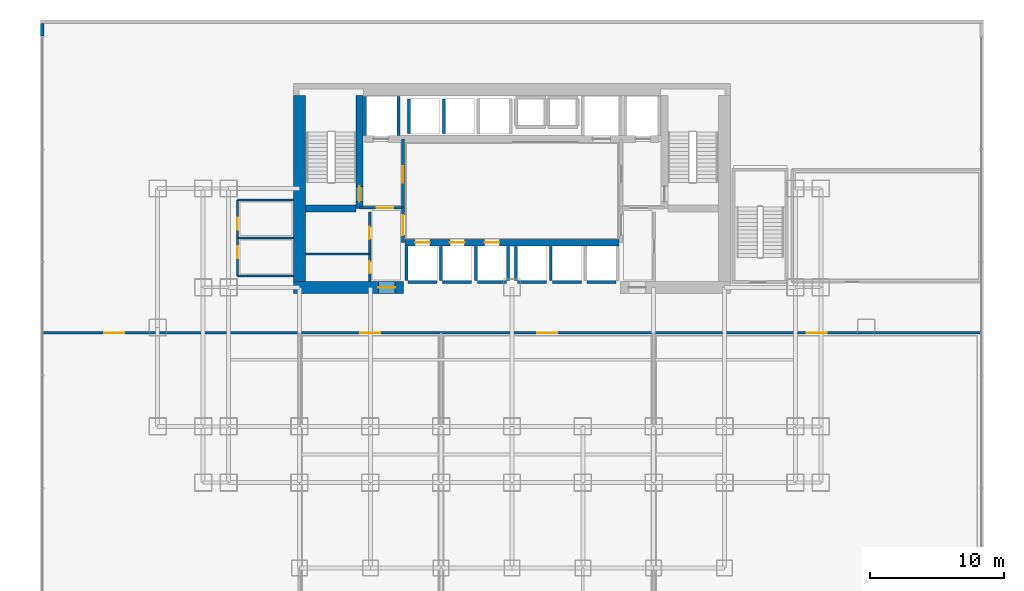
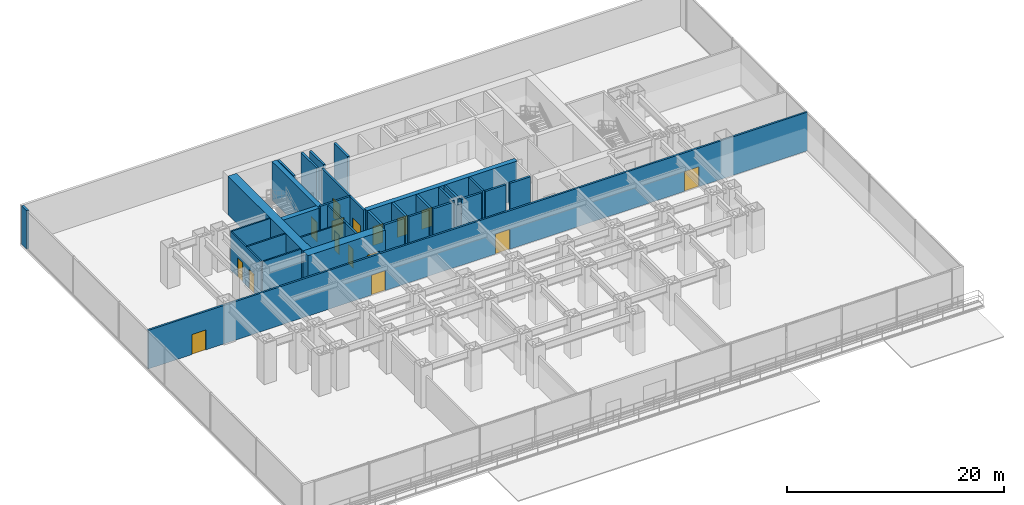
# One storey, part 9 of 13: 32 walls, 16 doors, 16 openings.
"""IFC4 building model written with IfcOpenShell, lengths in metres."""

from ifc_helpers import new_model, si_unit, direction, frame, frame_2d, origin, place, context, subcontext, project, spatial, rectangle, extrude, material, layer, layer_set, type_object, element, fill, save


model = new_model("IFC4")

# Units and contexts
model_context = context("Model", 3, precision=1e-05, world=origin(), true_north=direction((0.0, 1.0)))
body_context = subcontext(model_context, "Body", "Model", "MODEL_VIEW")
ifc_project = project(units=[si_unit("LENGTHUNIT", "METRE"), si_unit("AREAUNIT", "SQUARE_METRE"), si_unit("VOLUMEUNIT", "CUBIC_METRE"), si_unit("PLANEANGLEUNIT", "RADIAN"), si_unit("MASSUNIT", "GRAM", prefix="KILO")], contexts=[model_context])

# Site, building, storey
site_placement = place(None, origin())
site = spatial("IfcSite", under=ifc_project, at=site_placement, CompositionType="ELEMENT")
building_placement = place(site_placement, origin())
building = spatial("IfcBuilding", under=site, at=building_placement, Name="Qianlan Lanfeng Residences", CompositionType="ELEMENT")
storey_placement = place(building_placement, frame((0.0, 0.0, 5.199951171875)))
storey = spatial("IfcBuildingStorey", under=building, at=storey_placement, Name="L01", CompositionType="ELEMENT", Elevation=5.199951171875)

# Wall, opening, door
ifc_material_1 = material(Name="Concrete C70", Category="concrete")
ifc_layer_1 = layer(ifc_material_1, 0.5)
ifc_layer_set_1 = layer_set([ifc_layer_1], Name="Concrete C70")
wall_type_1 = type_object("IfcWallType", Name="CW-RC-500", PredefinedType="SHEAR", material=ifc_layer_set_1)
wall_1_placement = place(storey_placement, frame((15.10009765625, 31.10009765625, 0.0), z_axis=(0.0, 0.0, 1.0), x_axis=(0.0, 1.0, 0.0)))
wall_1 = element("IfcWall", 1, at=wall_1_placement, inside=storey, type_object=wall_type_1, Name="L01 Core Shear Wall ST1E", PredefinedType="SHEAR", context=body_context, shape_type="SweptSolid", body=[
    extrude(rectangle(XDim=8.449951171875, YDim=0.5, at=frame_2d((4.22509765625, 0.0))), origin(), (0.0, 0.0, 1.0), 4.35009765625),
])
opening_1_placement = place(wall_1_placement, frame((0.510009765625, 0.0, 0.0)))
opening_1 = element("IfcOpeningElement", 2, at=opening_1_placement, cuts=wall_1, Name="Opening L01-D07", PredefinedType="OPENING", context=body_context, shape_type="SweptSolid", body=[
    extrude(rectangle(XDim=1.14990234375, YDim=2.199951171875, at=frame_2d((0.574951171875, 1.10009765625))), frame((0.0, 0.260009765625, 0.0), z_axis=(0.0, -1.0, 0.0), x_axis=(1.0, 0.0, 0.0)), (0.0, 0.0, 1.0), 0.52001953125),
])
ifc_material_2 = material(Name="Painted Galvanised Steel Fire Door", Category="steel")
door_type_1 = type_object("IfcDoorType", Name="DT-ST1", OperationType="NOTDEFINED", PredefinedType="DOOR", material=ifc_material_2)
door_1_placement = place(opening_1_placement, frame((1.14990234375, 0.0, 0.0), z_axis=(0.0, 0.0, 1.0), x_axis=(-1.0, 0.0, 0.0)))
door_1 = element("IfcDoor", 3, at=door_1_placement, inside=storey, type_object=door_type_1, Name="L01 Exit Stair ST-1 Door L01-D07 (DT-ST1)", OperationType="SINGLE_SWING_RIGHT", OverallHeight=2.199951171875, OverallWidth=1.14990234375, PredefinedType="DOOR", context=body_context, shape_type="SweptSolid", body=[
    extrude(rectangle(XDim=1.14990234375, YDim=2.199951171875, at=frame_2d((0.574951171875, 1.10009765625))), frame((0.0, 0.02490234375, 0.0), z_axis=(0.0, -1.0, 0.0), x_axis=(1.0, 0.0, 0.0)), (0.0, 0.0, 1.0), 0.050048828125),
])
fill(opening_1, door_1)

# Wall
wall_2_placement = place(storey_placement, frame((11.050048828125, 31.10009765625, 0.0), z_axis=(0.0, 0.0, 1.0), x_axis=(1.0, 0.0, 0.0)))
element("IfcWall", 4, at=wall_2_placement, inside=storey, type_object=wall_type_1, Name="L01 Core Shear Wall ST1S", PredefinedType="SHEAR", context=body_context, shape_type="SweptSolid", body=[
    extrude(rectangle(XDim=3.800048828125, YDim=0.5, at=frame_2d((1.89990234375, 0.0))), origin(), (0.0, 0.0, 1.0), 4.35009765625),
])

# Wall, openings, doors
wall_3_placement = place(storey_placement, frame((18.5, 28.550048828125, 0.0), z_axis=(0.0, 0.0, 1.0), x_axis=(1.0, 0.0, 0.0)))
wall_3 = element("IfcWall", 5, at=wall_3_placement, inside=storey, type_object=wall_type_1, Name="L01 Core Shear Wall LBS", PredefinedType="SHEAR", context=body_context, shape_type="SweptSolid", body=[
    extrude(rectangle(XDim=16.0, YDim=0.5, at=frame_2d((8.0, 0.0))), origin(), (0.0, 0.0, 1.0), 4.35009765625),
])
opening_2_placement = place(wall_3_placement, frame((0.75, 0.0, 0.0)))
opening_2 = element("IfcOpeningElement", 6, at=opening_2_placement, cuts=wall_3, Name="Opening L01-LD-PL-L1", PredefinedType="OPENING", context=body_context, shape_type="SweptSolid", body=[
    extrude(rectangle(XDim=1.10009765625, YDim=2.14990234375, at=frame_2d((0.550048828125, 1.074951171875))), frame((0.0, 0.260009765625, 0.0), z_axis=(0.0, -1.0, 0.0), x_axis=(1.0, 0.0, 0.0)), (0.0, 0.0, 1.0), 0.52001953125),
])
opening_3_placement = place(wall_3_placement, frame((3.35009765625, 0.0, 0.0)))
opening_3 = element("IfcOpeningElement", 7, at=opening_3_placement, cuts=wall_3, Name="Opening L01-LD-PL-L2", PredefinedType="OPENING", context=body_context, shape_type="SweptSolid", body=[
    extrude(rectangle(XDim=1.10009765625, YDim=2.14990234375, at=frame_2d((0.550048828125, 1.074951171875))), frame((0.0, 0.260009765625, 0.0), z_axis=(0.0, -1.0, 0.0), x_axis=(1.0, 0.0, 0.0)), (0.0, 0.0, 1.0), 0.52001953125),
])
opening_4_placement = place(wall_3_placement, frame((5.949951171875, 0.0, 0.0)))
opening_4 = element("IfcOpeningElement", 8, at=opening_4_placement, cuts=wall_3, Name="Opening L01-LD-PL-L3", PredefinedType="OPENING", context=body_context, shape_type="SweptSolid", body=[
    extrude(rectangle(XDim=1.10009765625, YDim=2.14990234375, at=frame_2d((0.550048828125, 1.074951171875))), frame((0.0, 0.260009765625, 0.0), z_axis=(0.0, -1.0, 0.0), x_axis=(1.0, 0.0, 0.0)), (0.0, 0.0, 1.0), 0.52001953125),
])
ifc_material_3 = material(Name="Brushed Stainless Steel Sliding Lift Door", Category="steel")
door_type_2 = type_object("IfcDoorType", Name="LD-01", OperationType="NOTDEFINED", PredefinedType="DOOR", material=ifc_material_3)
door_2_placement = place(opening_2_placement, origin())
door_2 = element("IfcDoor", 9, at=door_2_placement, inside=storey, type_object=door_type_2, Name="L01 Elevator PL-L1 Sliding Landing Door", OperationType="DOUBLE_DOOR_SLIDING", OverallHeight=2.14990234375, OverallWidth=1.10009765625, PredefinedType="DOOR", context=body_context, shape_type="SweptSolid", body=[
    extrude(rectangle(XDim=1.10009765625, YDim=2.14990234375, at=frame_2d((0.550048828125, 1.074951171875))), frame((0.0, 0.02490234375, 0.0), z_axis=(0.0, -1.0, 0.0), x_axis=(1.0, 0.0, 0.0)), (0.0, 0.0, 1.0), 0.050048828125),
])
fill(opening_2, door_2)
door_3_placement = place(opening_3_placement, origin())
door_3 = element("IfcDoor", 10, at=door_3_placement, inside=storey, type_object=door_type_2, Name="L01 Elevator PL-L2 Sliding Landing Door", OperationType="DOUBLE_DOOR_SLIDING", OverallHeight=2.14990234375, OverallWidth=1.10009765625, PredefinedType="DOOR", context=body_context, shape_type="SweptSolid", body=[
    extrude(rectangle(XDim=1.10009765625, YDim=2.14990234375, at=frame_2d((0.550048828125, 1.074951171875))), frame((0.0, 0.02490234375, 0.0), z_axis=(0.0, -1.0, 0.0), x_axis=(1.0, 0.0, 0.0)), (0.0, 0.0, 1.0), 0.050048828125),
])
fill(opening_3, door_3)
door_4_placement = place(opening_4_placement, origin())
door_4 = element("IfcDoor", 11, at=door_4_placement, inside=storey, type_object=door_type_2, Name="L01 Elevator PL-L3 Sliding Landing Door", OperationType="DOUBLE_DOOR_SLIDING", OverallHeight=2.14990234375, OverallWidth=1.10009765625, PredefinedType="DOOR", context=body_context, shape_type="SweptSolid", body=[
    extrude(rectangle(XDim=1.10009765625, YDim=2.14990234375, at=frame_2d((0.550048828125, 1.074951171875))), frame((0.0, 0.02490234375, 0.0), z_axis=(0.0, -1.0, 0.0), x_axis=(1.0, 0.0, 0.0)), (0.0, 0.0, 1.0), 0.050048828125),
])
fill(opening_4, door_4)

# Wall
ifc_layer_2 = layer(ifc_material_1, 0.89990234375)
ifc_layer_set_2 = layer_set([ifc_layer_2], Name="Concrete C70")
wall_type_2 = type_object("IfcWallType", Name="CW-RC-900", PredefinedType="SHEAR", material=ifc_layer_set_2)
wall_4_placement = place(storey_placement, frame((10.60009765625, 25.64990234375, 0.0), z_axis=(0.0, 0.0, 1.0), x_axis=(0.0, 1.0, 0.0)))
element("IfcWall", 12, at=wall_4_placement, inside=storey, type_object=wall_type_2, Name="L01 Core Shear Wall W", PredefinedType="SHEAR", context=body_context, shape_type="SweptSolid", body=[
    extrude(rectangle(XDim=13.900146484375, YDim=0.89990234375, at=frame_2d((6.9501953125, 0.0))), origin(), (0.0, 0.0, 1.0), 4.35009765625),
])

# Wall, opening, door
wall_5_placement = place(storey_placement, frame((10.14990234375, 25.199951171875, 0.0), z_axis=(0.0, 0.0, 1.0), x_axis=(1.0, 0.0, 0.0)))
wall_5 = element("IfcWall", 13, at=wall_5_placement, inside=storey, type_object=wall_type_2, Name="L01 Core Shear Wall SW", PredefinedType="SHEAR", context=body_context, shape_type="SweptSolid", body=[
    extrude(rectangle(XDim=8.25, YDim=0.89990234375, at=frame_2d((4.125, 0.0))), origin(), (0.0, 0.0, 1.0), 4.35009765625),
])
opening_5_placement = place(wall_5_placement, frame((6.35009765625, 0.0, 0.0)))
opening_5 = element("IfcOpeningElement", 14, at=opening_5_placement, cuts=wall_5, Name="Opening L01-D01", PredefinedType="OPENING", context=body_context, shape_type="SweptSolid", body=[
    extrude(rectangle(XDim=1.25, YDim=2.199951171875, at=frame_2d((0.625, 1.10009765625))), frame((0.0, 0.4599609375, 0.0), z_axis=(0.0, -1.0, 0.0), x_axis=(1.0, 0.0, 0.0)), (0.0, 0.0, 1.0), 0.919921875),
])
door_type_3 = type_object("IfcDoorType", Name="DT-FFL", OperationType="NOTDEFINED", PredefinedType="DOOR", material=ifc_material_2)
door_5_placement = place(opening_5_placement, frame((1.25, 0.0, 0.0), z_axis=(0.0, 0.0, 1.0), x_axis=(-1.0, 0.0, 0.0)))
door_5 = element("IfcDoor", 15, at=door_5_placement, inside=storey, type_object=door_type_3, Name="L01 West Core Lobby Smoke Door L01-D01 (DT-FFL)", OperationType="SINGLE_SWING_RIGHT", OverallHeight=2.199951171875, OverallWidth=1.25, PredefinedType="DOOR", context=body_context, shape_type="SweptSolid", body=[
    extrude(rectangle(XDim=1.25, YDim=2.199951171875, at=frame_2d((0.625, 1.10009765625))), frame((0.0, 0.02490234375, 0.0), z_axis=(0.0, -1.0, 0.0), x_axis=(1.0, 0.0, 0.0)), (0.0, 0.0, 1.0), 0.050048828125),
])
fill(opening_5, door_5)

# Walls
ifc_material_4 = material(Name="Concrete C42", Category="concrete")
ifc_layer_3 = layer(ifc_material_4, 0.239990234375)
ifc_layer_set_3 = layer_set([ifc_layer_3], Name="Concrete C42")
wall_type_3 = type_object("IfcWallType", Name="EW-240", PredefinedType="SOLIDWALL", material=ifc_layer_set_3)
wall_6_placement = place(storey_placement, frame((-8.6298828125, 44.93994140625, 0.0), z_axis=(0.0, 0.0, 1.0), x_axis=(0.0, -1.0, 0.0)))
element("IfcWall", 16, at=wall_6_placement, inside=storey, type_object=wall_type_3, Name="L01 NW Corner Pier", PredefinedType="SOLIDWALL", context=body_context, shape_type="SweptSolid", body=[
    extrude(rectangle(XDim=0.93994140625, YDim=0.239990234375, at=frame_2d((0.469970703125, 0.0))), origin(), (0.0, 0.0, 1.0), 4.35009765625),
])
ifc_material_5 = material(Name="Acoustic Drywall Partition 150 mm")
ifc_layer_4 = layer(ifc_material_5, 0.14990234375)
ifc_layer_set_4 = layer_set([ifc_layer_4], Name="Acoustic Drywall Partition 150 mm")
wall_type_4 = type_object("IfcWallType", Name="PW-150", PredefinedType="PARTITIONING", material=ifc_layer_set_4)
wall_7_placement = place(storey_placement, frame((11.050048828125, 27.699951171875, 0.0), z_axis=(0.0, 0.0, 1.0), x_axis=(1.0, 0.0, 0.0)))
element("IfcWall", 17, at=wall_7_placement, inside=storey, type_object=wall_type_4, Name="L01 Core West Split", PredefinedType="PARTITIONING", context=body_context, shape_type="SweptSolid", body=[
    extrude(rectangle(XDim=4.800048828125, YDim=0.14990234375, at=frame_2d((2.39990234375, 0.0))), origin(), (0.0, 0.0, 1.0), 4.35009765625),
])

# Wall, openings, doors
wall_8_placement = place(storey_placement, frame((5.97998046875, 26.050048828125, 0.0), z_axis=(0.0, 0.0, 1.0), x_axis=(0.0, 1.0, 0.0)))
wall_8 = element("IfcWall", 18, at=wall_8_placement, inside=storey, type_object=wall_type_4, Name="L01 Restroom West Wall", PredefinedType="PARTITIONING", context=body_context, shape_type="SweptSolid", body=[
    extrude(rectangle(XDim=5.699951171875, YDim=0.14990234375, at=frame_2d((2.85009765625, 0.0))), origin(), (0.0, 0.0, 1.0), 4.35009765625),
])
opening_6_placement = place(wall_8_placement, frame((1.324951171875, 0.0, 0.0)))
opening_6 = element("IfcOpeningElement", 19, at=opening_6_placement, cuts=wall_8, Name="Opening L01-D20", PredefinedType="OPENING", context=body_context, shape_type="SweptSolid", body=[
    extrude(rectangle(XDim=0.89990234375, YDim=2.14990234375, at=frame_2d((0.449951171875, 1.074951171875))), frame((0.0, 0.0849609375, 0.0), z_axis=(0.0, -1.0, 0.0), x_axis=(1.0, 0.0, 0.0)), (0.0, 0.0, 1.0), 0.169921875),
])
opening_7_placement = place(wall_8_placement, frame((3.47509765625, 0.0, 0.0)))
opening_7 = element("IfcOpeningElement", 20, at=opening_7_placement, cuts=wall_8, Name="Opening L01-D21", PredefinedType="OPENING", context=body_context, shape_type="SweptSolid", body=[
    extrude(rectangle(XDim=0.89990234375, YDim=2.14990234375, at=frame_2d((0.449951171875, 1.074951171875))), frame((0.0, 0.0849609375, 0.0), z_axis=(0.0, -1.0, 0.0), x_axis=(1.0, 0.0, 0.0)), (0.0, 0.0, 1.0), 0.169921875),
])
ifc_material_6 = material(Name="Moisture-Resistant Timber Leaf", Category="wood")
door_type_4 = type_object("IfcDoorType", Name="DT-WC", OperationType="NOTDEFINED", PredefinedType="DOOR", material=ifc_material_6)
door_6_placement = place(opening_6_placement, origin())
door_6 = element("IfcDoor", 21, at=door_6_placement, inside=storey, type_object=door_type_4, Name="L01 Podium Public Restroom Door L01-D20 (DT-WC)", OperationType="SINGLE_SWING_LEFT", OverallHeight=2.14990234375, OverallWidth=0.89990234375, PredefinedType="DOOR", context=body_context, shape_type="SweptSolid", body=[
    extrude(rectangle(XDim=0.89990234375, YDim=2.14990234375, at=frame_2d((0.449951171875, 1.074951171875))), frame((0.0, 0.02490234375, 0.0), z_axis=(0.0, -1.0, 0.0), x_axis=(1.0, 0.0, 0.0)), (0.0, 0.0, 1.0), 0.050048828125),
])
fill(opening_6, door_6)
door_7_placement = place(opening_7_placement, origin())
door_7 = element("IfcDoor", 22, at=door_7_placement, inside=storey, type_object=door_type_4, Name="L01 Podium Accessible WC Door L01-D21 (DT-WC)", OperationType="SINGLE_SWING_RIGHT", OverallHeight=2.14990234375, OverallWidth=0.89990234375, PredefinedType="DOOR", context=body_context, shape_type="SweptSolid", body=[
    extrude(rectangle(XDim=0.89990234375, YDim=2.14990234375, at=frame_2d((0.449951171875, 1.074951171875))), frame((0.0, 0.02490234375, 0.0), z_axis=(0.0, -1.0, 0.0), x_axis=(1.0, 0.0, 0.0)), (0.0, 0.0, 1.0), 0.050048828125),
])
fill(opening_7, door_7)

# Walls
for number, where, z_axis, x_axis, name in (
    (23, (5.97998046875, 26.050048828125, 0.0), (0.0, 0.0, 1.0), (1.0, 0.0, 0.0), "L01 Restroom South Wall"),
    (24, (5.97998046875, 28.89990234375, 0.0), (0.0, 0.0, 1.0), (1.0, 0.0, 0.0), "L01 Restroom Divider"),
    (25, (5.97998046875, 31.75, 0.0), (0.0, 0.0, 1.0), (1.0, 0.0, 0.0), "L01 Restroom North Wall"),
):
    element("IfcWall", number, at=place(storey_placement, frame(where, z_axis=z_axis, x_axis=x_axis)), inside=storey, type_object=wall_type_4, Name=name, PredefinedType="PARTITIONING", context=body_context, shape_type="SweptSolid", body=[
        extrude(rectangle(XDim=4.169921875, YDim=0.14990234375, at=frame_2d((2.0849609375, 0.0))), origin(), (0.0, 0.0, 1.0), 4.35009765625),
    ])

# Wall, openings, doors
ifc_material_7 = material(Name="Double-Layer Acoustic Gypsum Stud Wall 180 mm")
ifc_layer_5 = layer(ifc_material_7, 0.179931640625)
ifc_layer_set_5 = layer_set([ifc_layer_5], Name="Double-Layer Acoustic Gypsum Stud Wall 180 mm")
wall_type_5 = type_object("IfcWallType", Name="PW-180", PredefinedType="PARTITIONING", material=ifc_layer_set_5)
wall_9_placement = place(storey_placement, frame((15.85009765625, 25.64990234375, 0.0), z_axis=(0.0, 0.0, 1.0), x_axis=(0.0, 1.0, 0.0)))
wall_9 = element("IfcWall", 26, at=wall_9_placement, inside=storey, type_object=wall_type_5, Name="L01 Core West Service Room Wall", PredefinedType="PARTITIONING", context=body_context, shape_type="SweptSolid", body=[
    extrude(rectangle(XDim=5.2001953125, YDim=0.179931640625, at=frame_2d((2.60009765625, 0.0))), origin(), (0.0, 0.0, 1.0), 4.35009765625),
])
opening_8_placement = place(wall_9_placement, frame((0.60009765625, 0.0, 0.0)))
opening_8 = element("IfcOpeningElement", 27, at=opening_8_placement, cuts=wall_9, Name="Opening L01-D09", PredefinedType="OPENING", context=body_context, shape_type="SweptSolid", body=[
    extrude(rectangle(XDim=0.89990234375, YDim=2.14990234375, at=frame_2d((0.449951171875, 1.074951171875))), frame((0.0, 0.10009765625, 0.0), z_axis=(0.0, -1.0, 0.0), x_axis=(1.0, 0.0, 0.0)), (0.0, 0.0, 1.0), 0.199951171875),
])
opening_9_placement = place(wall_9_placement, frame((3.1650390625, 0.0, 0.0)))
opening_9 = element("IfcOpeningElement", 28, at=opening_9_placement, cuts=wall_9, Name="Opening L01-D10", PredefinedType="OPENING", context=body_context, shape_type="SweptSolid", body=[
    extrude(rectangle(XDim=0.919921875, YDim=2.14990234375, at=frame_2d((0.4599609375, 1.074951171875))), frame((0.0, 0.10009765625, 0.0), z_axis=(0.0, -1.0, 0.0), x_axis=(1.0, 0.0, 0.0)), (0.0, 0.0, 1.0), 0.199951171875),
])
ifc_material_8 = material(Name="Glazed Timber Kitchen/Study Door", Category="wood")
door_type_5 = type_object("IfcDoorType", Name="DT-INT", OperationType="NOTDEFINED", PredefinedType="DOOR", material=ifc_material_8)
door_8_placement = place(opening_9_placement, origin())
door_8 = element("IfcDoor", 29, at=door_8_placement, inside=storey, type_object=door_type_5, Name="L01 Janitor Closet Door L01-D10 (DT-INT)", OperationType="SINGLE_SWING_LEFT", OverallHeight=2.14990234375, OverallWidth=0.919921875, PredefinedType="DOOR", context=body_context, shape_type="SweptSolid", body=[
    extrude(rectangle(XDim=0.919921875, YDim=2.14990234375, at=frame_2d((0.4599609375, 1.074951171875))), frame((0.0, 0.02490234375, 0.0), z_axis=(0.0, -1.0, 0.0), x_axis=(1.0, 0.0, 0.0)), (0.0, 0.0, 1.0), 0.050048828125),
])
fill(opening_9, door_8)
door_9_placement = place(opening_8_placement, frame((0.89990234375, 0.0, 0.0), z_axis=(0.0, 0.0, 1.0), x_axis=(-1.0, 0.0, 0.0)))
door_9 = element("IfcDoor", 30, at=door_9_placement, inside=storey, type_object=door_type_4, Name="L01 Core Staff WC Door L01-D09 (DT-WC)", OperationType="SINGLE_SWING_RIGHT", OverallHeight=2.14990234375, OverallWidth=0.89990234375, PredefinedType="DOOR", context=body_context, shape_type="SweptSolid", body=[
    extrude(rectangle(XDim=0.89990234375, YDim=2.14990234375, at=frame_2d((0.449951171875, 1.074951171875))), frame((0.0, 0.02490234375, 0.0), z_axis=(0.0, -1.0, 0.0), x_axis=(1.0, 0.0, 0.0)), (0.0, 0.0, 1.0), 0.050048828125),
])
fill(opening_8, door_9)

# Wall, opening, door
ifc_material_9 = material(Name="Autoclaved Aerated Concrete Blockwork 200 mm", Category="masonry")
ifc_layer_6 = layer(ifc_material_9, 0.199951171875)
ifc_layer_set_6 = layer_set([ifc_layer_6], Name="Autoclaved Aerated Concrete Blockwork 200 mm")
wall_type_6 = type_object("IfcWallType", Name="PW-200", PredefinedType="PARTITIONING", material=ifc_layer_set_6)
wall_10_placement = place(storey_placement, frame((15.10009765625, 31.14990234375, 0.0), z_axis=(0.0, 0.0, 1.0), x_axis=(1.0, 0.0, 0.0)))
wall_10 = element("IfcWall", 31, at=wall_10_placement, inside=storey, type_object=wall_type_6, Name="L01 Firefighting Lobby 1 South Wall", PredefinedType="PARTITIONING", context=body_context, shape_type="SweptSolid", body=[
    extrude(rectangle(XDim=3.25, YDim=0.199951171875, at=frame_2d((1.625, 0.0))), origin(), (0.0, 0.0, 1.0), 4.35009765625),
])
opening_10_placement = place(wall_10_placement, frame((1.27490234375, 0.0, 0.0)))
opening_10 = element("IfcOpeningElement", 32, at=opening_10_placement, cuts=wall_10, Name="Opening L01-D03", PredefinedType="OPENING", context=body_context, shape_type="SweptSolid", body=[
    extrude(rectangle(XDim=1.25, YDim=2.199951171875, at=frame_2d((0.625, 1.10009765625))), frame((0.0, 0.10986328125, 0.0), z_axis=(0.0, -1.0, 0.0), x_axis=(1.0, 0.0, 0.0)), (0.0, 0.0, 1.0), 0.219970703125),
])
door_10_placement = place(opening_10_placement, origin())
door_10 = element("IfcDoor", 33, at=door_10_placement, inside=storey, type_object=door_type_3, Name="L01 Firefighting Lobby 1 Entry Door L01-D03 (DT-FFL)", OperationType="SINGLE_SWING_LEFT", OverallHeight=2.199951171875, OverallWidth=1.25, PredefinedType="DOOR", context=body_context, shape_type="SweptSolid", body=[
    extrude(rectangle(XDim=1.25, YDim=2.199951171875, at=frame_2d((0.625, 1.10009765625))), frame((0.0, 0.02490234375, 0.0), z_axis=(0.0, -1.0, 0.0), x_axis=(1.0, 0.0, 0.0)), (0.0, 0.0, 1.0), 0.050048828125),
])
fill(opening_10, door_10)

wall_11_placement = place(storey_placement, frame((18.35009765625, 31.14990234375, 0.0), z_axis=(0.0, 0.0, 1.0), x_axis=(0.0, 1.0, 0.0)))
wall_11 = element("IfcWall", 34, at=wall_11_placement, inside=storey, type_object=wall_type_6, Name="L01 Firefighting Lobby 1 East Wall", PredefinedType="PARTITIONING", context=body_context, shape_type="SweptSolid", body=[
    extrude(rectangle(XDim=5.150146484375, YDim=0.199951171875, at=frame_2d((2.5751953125, 0.0))), origin(), (0.0, 0.0, 1.0), 4.35009765625),
])
opening_11_placement = place(wall_11_placement, frame((1.875, 0.0, 0.0)))
opening_11 = element("IfcOpeningElement", 35, at=opening_11_placement, cuts=wall_11, Name="Opening L01-D04", PredefinedType="OPENING", context=body_context, shape_type="SweptSolid", body=[
    extrude(rectangle(XDim=1.25, YDim=2.199951171875, at=frame_2d((0.625, 1.10009765625))), frame((0.0, 0.10986328125, 0.0), z_axis=(0.0, -1.0, 0.0), x_axis=(1.0, 0.0, 0.0)), (0.0, 0.0, 1.0), 0.219970703125),
])
door_11_placement = place(opening_11_placement, origin())
door_11 = element("IfcDoor", 36, at=door_11_placement, inside=storey, type_object=door_type_3, Name="L01 Firefighting Lobby 1 Lift Lobby Door L01-D04 (DT-FFL)", OperationType="SINGLE_SWING_LEFT", OverallHeight=2.199951171875, OverallWidth=1.25, PredefinedType="DOOR", context=body_context, shape_type="SweptSolid", body=[
    extrude(rectangle(XDim=1.25, YDim=2.199951171875, at=frame_2d((0.625, 1.10009765625))), frame((0.0, 0.02490234375, 0.0), z_axis=(0.0, -1.0, 0.0), x_axis=(1.0, 0.0, 0.0)), (0.0, 0.0, 1.0), 0.050048828125),
])
fill(opening_11, door_11)

wall_12_placement = place(storey_placement, frame((18.35009765625, 28.550048828125, 0.0), z_axis=(0.0, 0.0, 1.0), x_axis=(0.0, 1.0, 0.0)))
wall_12 = element("IfcWall", 37, at=wall_12_placement, inside=storey, type_object=wall_type_6, Name="L01 Lift Lobby West Connector Wall", PredefinedType="PARTITIONING", context=body_context, shape_type="SweptSolid", body=[
    extrude(rectangle(XDim=2.599853515625, YDim=0.199951171875, at=frame_2d((1.2998046875, 0.0))), origin(), (0.0, 0.0, 1.0), 4.35009765625),
])
opening_12_placement = place(wall_12_placement, frame((0.550048828125, 0.0, 0.0)))
opening_12 = element("IfcOpeningElement", 38, at=opening_12_placement, cuts=wall_12, Name="Opening L01-D13", PredefinedType="OPENING", context=body_context, shape_type="SweptSolid", body=[
    extrude(rectangle(XDim=1.5, YDim=2.25, at=frame_2d((0.75, 1.125))), frame((0.0, 0.10986328125, 0.0), z_axis=(0.0, -1.0, 0.0), x_axis=(1.0, 0.0, 0.0)), (0.0, 0.0, 1.0), 0.219970703125),
])
ifc_material_10 = material(Name="Timber Veneer Acoustic Fire Door", Category="wood")
door_type_6 = type_object("IfcDoorType", Name="DT-COR1", OperationType="NOTDEFINED", PredefinedType="DOOR", material=ifc_material_10)
door_12_placement = place(opening_12_placement, origin())
door_12 = element("IfcDoor", 39, at=door_12_placement, inside=storey, type_object=door_type_6, Name="L01 Lift Lobby West Portal Door L01-D13 (DT-COR1)", OperationType="DOUBLE_DOOR_SINGLE_SWING", OverallHeight=2.25, OverallWidth=1.5, PredefinedType="DOOR", context=body_context, shape_type="SweptSolid", body=[
    extrude(rectangle(XDim=1.5, YDim=2.25, at=frame_2d((0.75, 1.125))), frame((0.0, 0.02490234375, 0.0), z_axis=(0.0, -1.0, 0.0), x_axis=(1.0, 0.0, 0.0)), (0.0, 0.0, 1.0), 0.050048828125),
])
fill(opening_12, door_12)

# Wall, openings, doors
wall_13_placement = place(storey_placement, frame((-8.6298828125, 21.800048828125, 0.0), z_axis=(0.0, 0.0, 1.0), x_axis=(1.0, 0.0, 0.0)))
wall_13 = element("IfcWall", 40, at=wall_13_placement, inside=storey, type_object=wall_type_6, Name="L01 Podium Concourse South Wall", PredefinedType="PARTITIONING", context=body_context, shape_type="SweptSolid", body=[
    extrude(rectangle(XDim=70.259765625, YDim=0.199951171875, at=frame_2d((35.1298828125, 0.0))), origin(), (0.0, 0.0, 1.0), 4.35009765625),
])
opening_13_placement = place(wall_13_placement, frame((4.6298828125, 0.0, 0.0)))
opening_13 = element("IfcOpeningElement", 41, at=opening_13_placement, cuts=wall_13, Name="Opening L01-D15", PredefinedType="OPENING", context=body_context, shape_type="SweptSolid", body=[
    extrude(rectangle(XDim=1.5, YDim=2.25, at=frame_2d((0.75, 1.125))), frame((0.0, 0.10986328125, 0.0), z_axis=(0.0, -1.0, 0.0), x_axis=(1.0, 0.0, 0.0)), (0.0, 0.0, 1.0), 0.219970703125),
])
opening_14_placement = place(wall_13_placement, frame((23.780029296875, 0.0, 0.0)))
opening_14 = element("IfcOpeningElement", 42, at=opening_14_placement, cuts=wall_13, Name="Opening L01-D16", PredefinedType="OPENING", context=body_context, shape_type="SweptSolid", body=[
    extrude(rectangle(XDim=1.5, YDim=2.25, at=frame_2d((0.75, 1.125))), frame((0.0, 0.10986328125, 0.0), z_axis=(0.0, -1.0, 0.0), x_axis=(1.0, 0.0, 0.0)), (0.0, 0.0, 1.0), 0.219970703125),
])
opening_15_placement = place(wall_13_placement, frame((37.030029296875, 0.0, 0.0)))
opening_15 = element("IfcOpeningElement", 43, at=opening_15_placement, cuts=wall_13, Name="Opening L01-D17", PredefinedType="OPENING", context=body_context, shape_type="SweptSolid", body=[
    extrude(rectangle(XDim=1.5, YDim=2.25, at=frame_2d((0.75, 1.125))), frame((0.0, 0.10986328125, 0.0), z_axis=(0.0, -1.0, 0.0), x_axis=(1.0, 0.0, 0.0)), (0.0, 0.0, 1.0), 0.219970703125),
])
opening_16_placement = place(wall_13_placement, frame((57.179931640625, 0.0, 0.0)))
opening_16 = element("IfcOpeningElement", 44, at=opening_16_placement, cuts=wall_13, Name="Opening L01-D18", PredefinedType="OPENING", context=body_context, shape_type="SweptSolid", body=[
    extrude(rectangle(XDim=1.5, YDim=2.25, at=frame_2d((0.75, 1.125))), frame((0.0, 0.10986328125, 0.0), z_axis=(0.0, -1.0, 0.0), x_axis=(1.0, 0.0, 0.0)), (0.0, 0.0, 1.0), 0.219970703125),
])
door_13_placement = place(opening_13_placement, origin())
door_13 = element("IfcDoor", 45, at=door_13_placement, inside=storey, type_object=door_type_6, Name="L01 Harbour Retail Gallery Door L01-D15 (DT-COR1)", OperationType="DOUBLE_DOOR_SINGLE_SWING", OverallHeight=2.25, OverallWidth=1.5, PredefinedType="DOOR", context=body_context, shape_type="SweptSolid", body=[
    extrude(rectangle(XDim=1.5, YDim=2.25, at=frame_2d((0.75, 1.125))), frame((0.0, 0.02490234375, 0.0), z_axis=(0.0, -1.0, 0.0), x_axis=(1.0, 0.0, 0.0)), (0.0, 0.0, 1.0), 0.050048828125),
])
fill(opening_13, door_13)
door_14_placement = place(opening_14_placement, origin())
door_14 = element("IfcDoor", 46, at=door_14_placement, inside=storey, type_object=door_type_6, Name="L01 Fitness Gymnasium Door L01-D16 (DT-COR1)", OperationType="DOUBLE_DOOR_SINGLE_SWING", OverallHeight=2.25, OverallWidth=1.5, PredefinedType="DOOR", context=body_context, shape_type="SweptSolid", body=[
    extrude(rectangle(XDim=1.5, YDim=2.25, at=frame_2d((0.75, 1.125))), frame((0.0, 0.02490234375, 0.0), z_axis=(0.0, -1.0, 0.0), x_axis=(1.0, 0.0, 0.0)), (0.0, 0.0, 1.0), 0.050048828125),
])
fill(opening_14, door_14)
door_15_placement = place(opening_15_placement, origin())
door_15 = element("IfcDoor", 47, at=door_15_placement, inside=storey, type_object=door_type_6, Name="L01 Yoga Studio Door L01-D17 (DT-COR1)", OperationType="DOUBLE_DOOR_SINGLE_SWING", OverallHeight=2.25, OverallWidth=1.5, PredefinedType="DOOR", context=body_context, shape_type="SweptSolid", body=[
    extrude(rectangle(XDim=1.5, YDim=2.25, at=frame_2d((0.75, 1.125))), frame((0.0, 0.02490234375, 0.0), z_axis=(0.0, -1.0, 0.0), x_axis=(1.0, 0.0, 0.0)), (0.0, 0.0, 1.0), 0.050048828125),
])
fill(opening_15, door_15)
door_16_placement = place(opening_16_placement, origin())
door_16 = element("IfcDoor", 48, at=door_16_placement, inside=storey, type_object=door_type_6, Name="L01 Harbour Retail Gallery Door L01-D18 (DT-COR1)", OperationType="DOUBLE_DOOR_SINGLE_SWING", OverallHeight=2.25, OverallWidth=1.5, PredefinedType="DOOR", context=body_context, shape_type="SweptSolid", body=[
    extrude(rectangle(XDim=1.5, YDim=2.25, at=frame_2d((0.75, 1.125))), frame((0.0, 0.02490234375, 0.0), z_axis=(0.0, -1.0, 0.0), x_axis=(1.0, 0.0, 0.0)), (0.0, 0.0, 1.0), 0.050048828125),
])
fill(opening_16, door_16)

# Walls
ifc_material_11 = material(Name="Concrete C49", Category="concrete")
ifc_layer_7 = layer(ifc_material_11, 0.219970703125)
ifc_layer_set_7 = layer_set([ifc_layer_7], Name="Concrete C49")
wall_type_7 = type_object("IfcWallType", Name="SHW-220", PredefinedType="SOLIDWALL", material=ifc_layer_set_7)
for number, where, z_axis, x_axis, name in (
    (49, (15.52001953125, 36.550048828125, 0.0), (0.0, 0.0, 1.0), (0.0, 1.0, 0.0), "L01 Lift FFL-1 Shaft Wall W"),
    (50, (18.0, 36.550048828125, 0.0), (0.0, 0.0, 1.0), (0.0, 1.0, 0.0), "L01 Lift FFL-1 Shaft Wall E"),
):
    element("IfcWall", number, at=place(storey_placement, frame(where, z_axis=z_axis, x_axis=x_axis)), inside=storey, type_object=wall_type_7, Name=name, PredefinedType="SOLIDWALL", context=body_context, shape_type="SweptSolid", body=[
        extrude(rectangle(XDim=2.929931640625, YDim=0.219970703125, at=frame_2d((1.46484375, 0.0))), origin(), (0.0, 0.0, 1.0), 4.35009765625),
    ])
wall_14_placement = place(storey_placement, frame((18.60009765625, 25.719970703125, 0.0), z_axis=(0.0, 0.0, 1.0), x_axis=(0.0, 1.0, 0.0)))
element("IfcWall", 51, at=wall_14_placement, inside=storey, type_object=wall_type_7, Name="L01 Lift PL-L1 Shaft Wall W", PredefinedType="SOLIDWALL", context=body_context, shape_type="SweptSolid", body=[
    extrude(rectangle(XDim=2.530029296875, YDim=0.219970703125, at=frame_2d((1.26513671875, 0.0))), origin(), (0.0, 0.0, 1.0), 4.35009765625),
])
wall_15_placement = place(storey_placement, frame((18.719970703125, 25.60009765625, 0.0), z_axis=(0.0, 0.0, 1.0), x_axis=(1.0, 0.0, 0.0)))
element("IfcWall", 52, at=wall_15_placement, inside=storey, type_object=wall_type_7, Name="L01 Lift PL-L1 Shaft Back Wall S", PredefinedType="SOLIDWALL", context=body_context, shape_type="SweptSolid", body=[
    extrude(rectangle(XDim=2.159912109375, YDim=0.219970703125, at=frame_2d((1.080078125, 0.0))), origin(), (0.0, 0.0, 1.0), 4.35009765625),
])
wall_16_placement = place(storey_placement, frame((21.199951171875, 25.719970703125, 0.0), z_axis=(0.0, 0.0, 1.0), x_axis=(0.0, 1.0, 0.0)))
element("IfcWall", 53, at=wall_16_placement, inside=storey, type_object=wall_type_7, Name="L01 Lift PL-L2 Shaft Wall W", PredefinedType="SOLIDWALL", context=body_context, shape_type="SweptSolid", body=[
    extrude(rectangle(XDim=2.530029296875, YDim=0.219970703125, at=frame_2d((1.26513671875, 0.0))), origin(), (0.0, 0.0, 1.0), 4.35009765625),
])
wall_17_placement = place(storey_placement, frame((21.320068359375, 25.60009765625, 0.0), z_axis=(0.0, 0.0, 1.0), x_axis=(1.0, 0.0, 0.0)))
element("IfcWall", 54, at=wall_17_placement, inside=storey, type_object=wall_type_7, Name="L01 Lift PL-L2 Shaft Back Wall S", PredefinedType="SOLIDWALL", context=body_context, shape_type="SweptSolid", body=[
    extrude(rectangle(XDim=2.159912109375, YDim=0.219970703125, at=frame_2d((1.080078125, 0.0))), origin(), (0.0, 0.0, 1.0), 4.35009765625),
])
for number, where, z_axis, x_axis, name in (
    (55, (23.800048828125, 25.719970703125, 0.0), (0.0, 0.0, 1.0), (0.0, 1.0, 0.0), "L01 Lift PL-L3 Shaft Wall W"),
    (56, (26.199951171875, 25.719970703125, 0.0), (0.0, 0.0, 1.0), (0.0, 1.0, 0.0), "L01 Lift PL-L3 Shaft Wall E"),
):
    element("IfcWall", number, at=place(storey_placement, frame(where, z_axis=z_axis, x_axis=x_axis)), inside=storey, type_object=wall_type_7, Name=name, PredefinedType="SOLIDWALL", context=body_context, shape_type="SweptSolid", body=[
        extrude(rectangle(XDim=2.530029296875, YDim=0.219970703125, at=frame_2d((1.26513671875, 0.0))), origin(), (0.0, 0.0, 1.0), 4.35009765625),
    ])
wall_18_placement = place(storey_placement, frame((23.919921875, 25.60009765625, 0.0), z_axis=(0.0, 0.0, 1.0), x_axis=(1.0, 0.0, 0.0)))
element("IfcWall", 57, at=wall_18_placement, inside=storey, type_object=wall_type_7, Name="L01 Lift PL-L3 Shaft Back Wall S", PredefinedType="SOLIDWALL", context=body_context, shape_type="SweptSolid", body=[
    extrude(rectangle(XDim=2.16015625, YDim=0.219970703125, at=frame_2d((1.080078125, 0.0))), origin(), (0.0, 0.0, 1.0), 4.35009765625),
])
wall_19_placement = place(storey_placement, frame((26.800048828125, 25.719970703125, 0.0), z_axis=(0.0, 0.0, 1.0), x_axis=(0.0, 1.0, 0.0)))
element("IfcWall", 58, at=wall_19_placement, inside=storey, type_object=wall_type_7, Name="L01 Lift PL-M1 Shaft Wall W", PredefinedType="SOLIDWALL", context=body_context, shape_type="SweptSolid", body=[
    extrude(rectangle(XDim=2.530029296875, YDim=0.219970703125, at=frame_2d((1.26513671875, 0.0))), origin(), (0.0, 0.0, 1.0), 4.35009765625),
])
wall_20_placement = place(storey_placement, frame((26.919921875, 25.60009765625, 0.0), z_axis=(0.0, 0.0, 1.0), x_axis=(1.0, 0.0, 0.0)))
element("IfcWall", 59, at=wall_20_placement, inside=storey, type_object=wall_type_7, Name="L01 Lift PL-M1 Shaft Back Wall S", PredefinedType="SOLIDWALL", context=body_context, shape_type="SweptSolid", body=[
    extrude(rectangle(XDim=2.16015625, YDim=0.219970703125, at=frame_2d((1.080078125, 0.0))), origin(), (0.0, 0.0, 1.0), 4.35009765625),
])
wall_21_placement = place(storey_placement, frame((29.39990234375, 25.719970703125, 0.0), z_axis=(0.0, 0.0, 1.0), x_axis=(0.0, 1.0, 0.0)))
element("IfcWall", 60, at=wall_21_placement, inside=storey, type_object=wall_type_7, Name="L01 Lift PL-M2 Shaft Wall W", PredefinedType="SOLIDWALL", context=body_context, shape_type="SweptSolid", body=[
    extrude(rectangle(XDim=2.530029296875, YDim=0.219970703125, at=frame_2d((1.26513671875, 0.0))), origin(), (0.0, 0.0, 1.0), 4.35009765625),
])
for number, where, z_axis, x_axis, name in (
    (61, (29.52001953125, 25.60009765625, 0.0), (0.0, 0.0, 1.0), (1.0, 0.0, 0.0), "L01 Lift PL-M2 Shaft Back Wall S"),
    (62, (32.1201171875, 25.60009765625, 0.0), (0.0, 0.0, 1.0), (1.0, 0.0, 0.0), "L01 Lift PL-M3 Shaft Back Wall S"),
):
    element("IfcWall", number, at=place(storey_placement, frame(where, z_axis=z_axis, x_axis=x_axis)), inside=storey, type_object=wall_type_7, Name=name, PredefinedType="SOLIDWALL", context=body_context, shape_type="SweptSolid", body=[
        extrude(rectangle(XDim=2.159912109375, YDim=0.219970703125, at=frame_2d((1.080078125, 0.0))), origin(), (0.0, 0.0, 1.0), 4.35009765625),
    ])
for number, where, z_axis, x_axis, name in (
    (63, (18.800048828125, 36.719970703125, 0.0), (0.0, 0.0, 1.0), (0.0, 1.0, 0.0), "L01 Lift PL-H1 Shaft Wall W"),
    (64, (21.39990234375, 36.719970703125, 0.0), (0.0, 0.0, 1.0), (0.0, 1.0, 0.0), "L01 Lift PL-H2 Shaft Wall W"),
):
    element("IfcWall", number, at=place(storey_placement, frame(where, z_axis=z_axis, x_axis=x_axis)), inside=storey, type_object=wall_type_7, Name=name, PredefinedType="SOLIDWALL", context=body_context, shape_type="SweptSolid", body=[
        extrude(rectangle(XDim=2.56005859375, YDim=0.219970703125, at=frame_2d((1.280029296875, 0.0))), origin(), (0.0, 0.0, 1.0), 4.35009765625),
    ])

save(model, "model.ifc")
